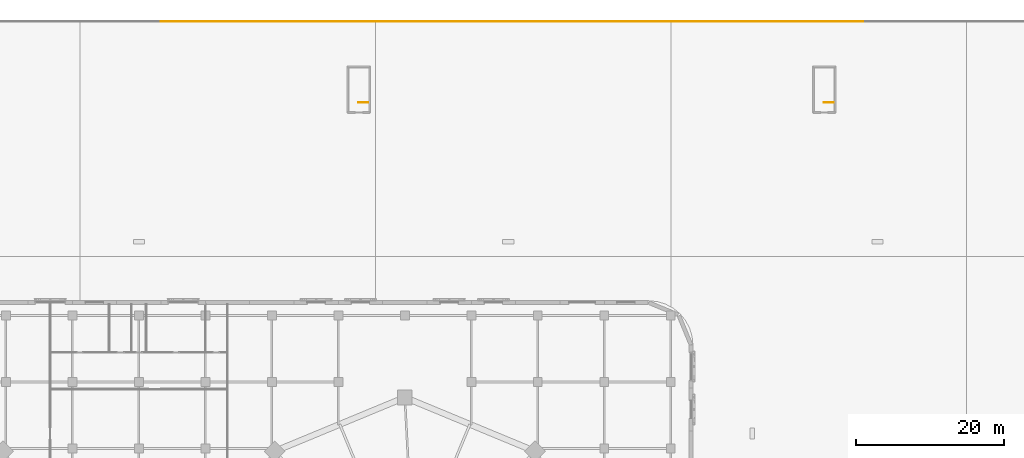
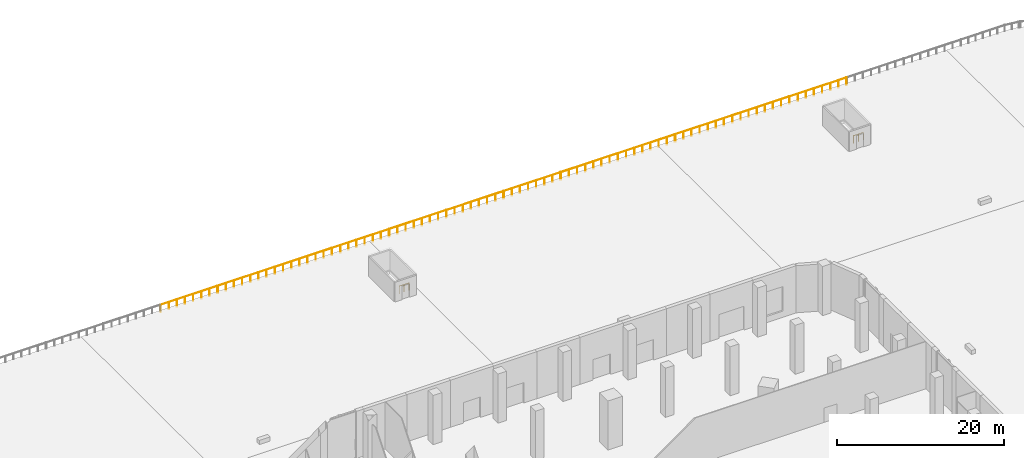
# One storey, part 46 of 48: 14 railings.
"""IFC4 building model written with IfcOpenShell, lengths in metres."""

from ifc_helpers import new_model, si_unit, direction, frame, origin, origin_2d, place, context, subcontext, project, spatial, circle, extrude, material, type_object, element, save


model = new_model("IFC4")

# Units and contexts
model_context = context("Model", 3, precision=1e-05, world=origin(), true_north=direction((0.0, 1.0)))
body_context = subcontext(model_context, "Body", "Model", "MODEL_VIEW")
ifc_project = project(units=[si_unit("LENGTHUNIT", "METRE"), si_unit("AREAUNIT", "SQUARE_METRE"), si_unit("VOLUMEUNIT", "CUBIC_METRE"), si_unit("PLANEANGLEUNIT", "RADIAN"), si_unit("MASSUNIT", "GRAM", prefix="KILO")], contexts=[model_context])

# Site, building, storey
site_placement = place(None, origin())
site = spatial("IfcSite", under=ifc_project, at=site_placement, CompositionType="ELEMENT")
building_placement = place(site_placement, origin())
building = spatial("IfcBuilding", under=site, at=building_placement, Name="Ogive Gate Towers", CompositionType="ELEMENT")
storey_placement = place(building_placement, origin())
storey = spatial("IfcBuildingStorey", under=building, at=storey_placement, Name="L00", CompositionType="ELEMENT", Elevation=0.0)

# Railings
ifc_material_1 = material(Name="Painted steel", Category="steel")
railing_type_1 = type_object("IfcRailingType", Name="Car park stair guard 1100", PredefinedType="GUARDRAIL", material=ifc_material_1)
for number, where, name in (
    (1, (31.050048828125, 64.85009765625, 0.0), "L00 CS3 top well guard 1"),
    (2, (94.050048828125, 64.85009765625, 0.0), "L00 CS4 top well guard 1"),
):
    element("IfcRailing", number, at=place(storey_placement, frame(where)), inside=storey, type_object=railing_type_1, Name=name, PredefinedType="GUARDRAIL", context=body_context, shape_type="SweptSolid", body=[
        extrude(circle(Radius=0.02392578125, at=origin_2d()), frame((0.0, 0.0, 1.076171875), z_axis=(-1.0, 0.0, 0.0), x_axis=(0.0, -1.0, 0.0)), (0.0, 0.0, 1.0), 1.35009765625),
        extrude(circle(Radius=0.02099609375, at=origin_2d()), origin(), (0.0, 0.0, 1.0), 1.052001953125),
        extrude(circle(Radius=0.02099609375, at=origin_2d()), frame((-0.675048828125, 0.0, 0.0)), (0.0, 0.0, 1.0), 1.052001953125),
        extrude(circle(Radius=0.02099609375, at=origin_2d()), frame((-1.35009765625, 0.0, 0.0)), (0.0, 0.0, 1.0), 1.052001953125),
    ])
ifc_material_2 = material(Name="Stainless steel", Category="steel")
railing_type_2 = type_object("IfcRailingType", Name="Guard 1100", PredefinedType="GUARDRAIL", material=ifc_material_2)
for number, where, name in (
    (3, (98.058349609375, 75.800048828125, 0.0), "Garden deck guard"),
    (4, (90.12890625, 75.800048828125, 0.0), "Garden deck guard"),
    (5, (82.19970703125, 75.800048828125, 0.0), "Garden deck guard"),
    (6, (74.270263671875, 75.800048828125, 0.0), "Garden deck guard"),
    (7, (66.3408203125, 75.800048828125, 0.0), "Garden deck guard"),
    (8, (58.411376953125, 75.800048828125, 0.0), "Garden deck guard"),
    (9, (50.48193359375, 75.800048828125, 0.0), "Garden deck guard"),
    (10, (42.552490234375, 75.800048828125, 0.0), "Garden deck guard"),
    (11, (34.623291015625, 75.800048828125, 0.0), "Garden deck guard"),
    (12, (26.69384765625, 75.800048828125, 0.0), "Garden deck guard"),
    (13, (18.764404296875, 75.800048828125, 0.0), "Garden deck guard"),
    (14, (10.8349609375, 75.800048828125, 0.0), "Garden deck guard"),
):
    element("IfcRailing", number, at=place(storey_placement, frame(where)), inside=storey, type_object=railing_type_2, Name=name, PredefinedType="GUARDRAIL", context=body_context, shape_type="SweptSolid", body=[
        extrude(circle(Radius=0.02392578125, at=origin_2d()), frame((0.0, 0.0, 1.076171875), z_axis=(-1.0, 0.0, 0.0), x_axis=(0.0, -1.0, 0.0)), (0.0, 0.0, 1.0), 7.87939453125),
        extrude(circle(Radius=0.02099609375, at=origin_2d()), origin(), (0.0, 0.0, 1.0), 1.052001953125),
        extrude(circle(Radius=0.02099609375, at=origin_2d()), frame((-1.125732421875, 0.0, 0.0)), (0.0, 0.0, 1.0), 1.052001953125),
        extrude(circle(Radius=0.02099609375, at=origin_2d()), frame((-2.251220703125, 0.0, 0.0)), (0.0, 0.0, 1.0), 1.052001953125),
        extrude(circle(Radius=0.02099609375, at=origin_2d()), frame((-3.376953125, 0.0, 0.0)), (0.0, 0.0, 1.0), 1.052001953125),
        extrude(circle(Radius=0.02099609375, at=origin_2d()), frame((-4.50244140625, 0.0, 0.0)), (0.0, 0.0, 1.0), 1.052001953125),
        extrude(circle(Radius=0.02099609375, at=origin_2d()), frame((-5.628173828125, 0.0, 0.0)), (0.0, 0.0, 1.0), 1.052001953125),
        extrude(circle(Radius=0.02099609375, at=origin_2d()), frame((-6.753662109375, 0.0, 0.0)), (0.0, 0.0, 1.0), 1.052001953125),
        extrude(circle(Radius=0.02099609375, at=origin_2d()), frame((-7.87939453125, 0.0, 0.0)), (0.0, 0.0, 1.0), 1.052001953125),
    ])

save(model, "model.ifc")
